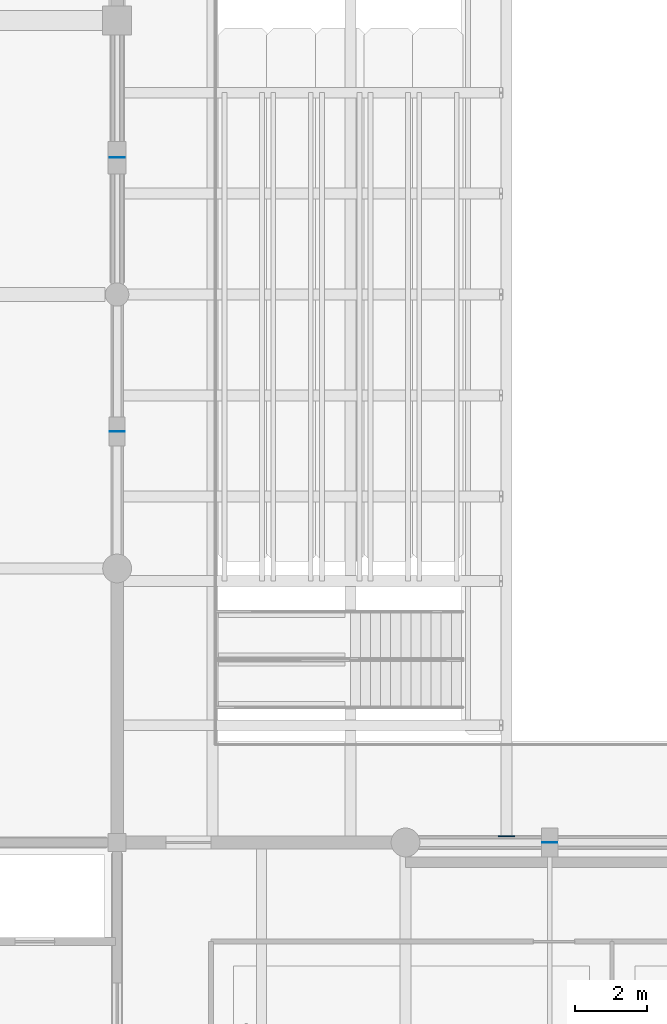
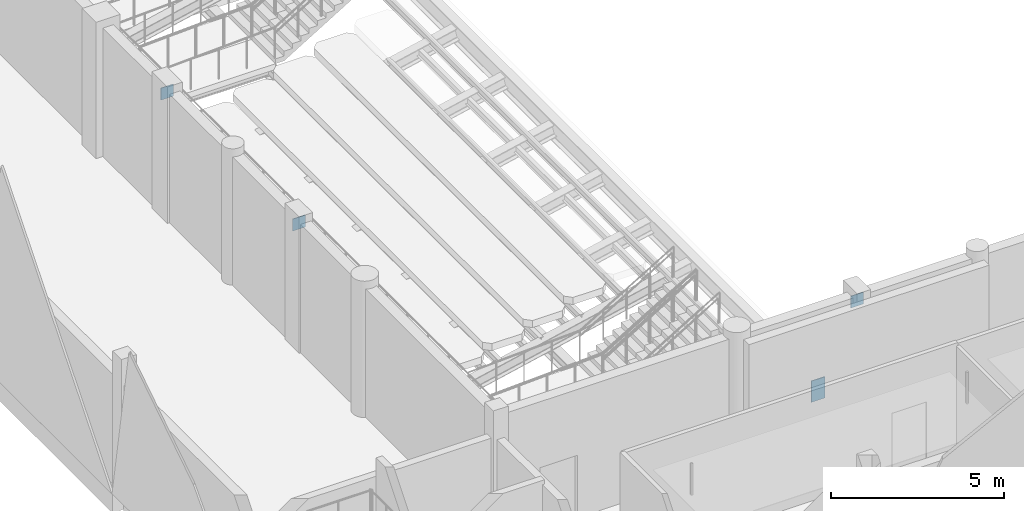
# One storey, part 83 of 141: 4 plates.
"""IFC4 building model written with IfcOpenShell, lengths in metres."""

from ifc_helpers import new_model, si_unit, direction, frame, origin, origin_2d, place, context, subcontext, project, spatial, rectangle, extrude, material, layer, layer_set, type_object, element, save


model = new_model("IFC4")

# Units and contexts
model_context = context("Model", 3, precision=1e-05, world=origin(), true_north=direction((0.0, 1.0)))
body_context = subcontext(model_context, "Body", "Model", "MODEL_VIEW")
ifc_project = project(units=[si_unit("LENGTHUNIT", "METRE"), si_unit("AREAUNIT", "SQUARE_METRE"), si_unit("VOLUMEUNIT", "CUBIC_METRE"), si_unit("PLANEANGLEUNIT", "RADIAN"), si_unit("MASSUNIT", "GRAM", prefix="KILO")], contexts=[model_context])

# Site, building, storey
site_placement = place(None, origin())
site = spatial("IfcSite", under=ifc_project, at=site_placement, CompositionType="ELEMENT")
building_placement = place(site_placement, origin())
building = spatial("IfcBuilding", under=site, at=building_placement, Name="Khelvaren Railside Concert Hall", CompositionType="ELEMENT")
storey_placement = place(building_placement, frame((0.0, 0.0, 10.199951171875)))
storey = spatial("IfcBuildingStorey", under=building, at=storey_placement, Name="L02", CompositionType="ELEMENT", Elevation=10.199951171875)

# Plates
ifc_material = material(Name="Steel S355", Category="steel")
ifc_layer_1 = layer(ifc_material, 0.028076171875)
ifc_layer_set_1 = layer_set([ifc_layer_1], Name="Steel S355")
plate_type_1 = type_object("IfcPlateType", Name="GP71", PredefinedType="USERDEFINED", material=ifc_layer_set_1)
plate_placement = place(storey_placement, frame((18.800048828125, 7.77001953125, 1.06494140625), z_axis=(0.0, 0.0, 1.0), x_axis=(1.0, 0.0, 0.0)))
element("IfcPlate", 1, at=plate_placement, inside=storey, type_object=plate_type_1, Name="Cast-In Shear Wall Embedment Plate V1-L02-RKHDR-S", ObjectType="GUSSET PLATE", PredefinedType="USERDEFINED", context=body_context, shape_type="SweptSolid", body=[
    extrude(rectangle(XDim=0.449951171875, YDim=0.028076171875, at=origin_2d()), origin(), (0.0, 0.0, 1.0), 0.75),
])
ifc_layer_2 = layer(ifc_material, 0.02197265625)
ifc_layer_set_2 = layer_set([ifc_layer_2], Name="Steel S355")
plate_type_2 = type_object("IfcPlateType", Name="STP73", PredefinedType="USERDEFINED", material=ifc_layer_set_2)
for number, where, z_axis, x_axis, name in (
    (2, (8.0, 19.0, 4.06005859375), (0.0, 0.0, 1.0), (1.0, 0.0, 0.0), "V1 L02 Brace Apex Stiffener Plate 6"),
    (3, (8.0, 26.60009765625, 4.06005859375), (0.0, 0.0, 1.0), (1.0, 0.0, 0.0), "V1 L02 Brace Apex Stiffener Plate 16"),
    (4, (20.0, 7.60009765625, 4.06005859375), (0.0, 0.0, 1.0), (1.0, 0.0, 0.0), "V1 L02 Brace Apex Stiffener Plate 26"),
):
    element("IfcPlate", number, at=place(storey_placement, frame(where, z_axis=z_axis, x_axis=x_axis)), inside=storey, type_object=plate_type_2, Name=name, ObjectType="STIFFENER PLATE", PredefinedType="USERDEFINED", context=body_context, shape_type="SweptSolid", body=[
        extrude(rectangle(XDim=0.419921875, YDim=0.02197265625, at=origin_2d()), origin(), (0.0, 0.0, 1.0), 0.419921875),
    ])

save(model, "model.ifc")
